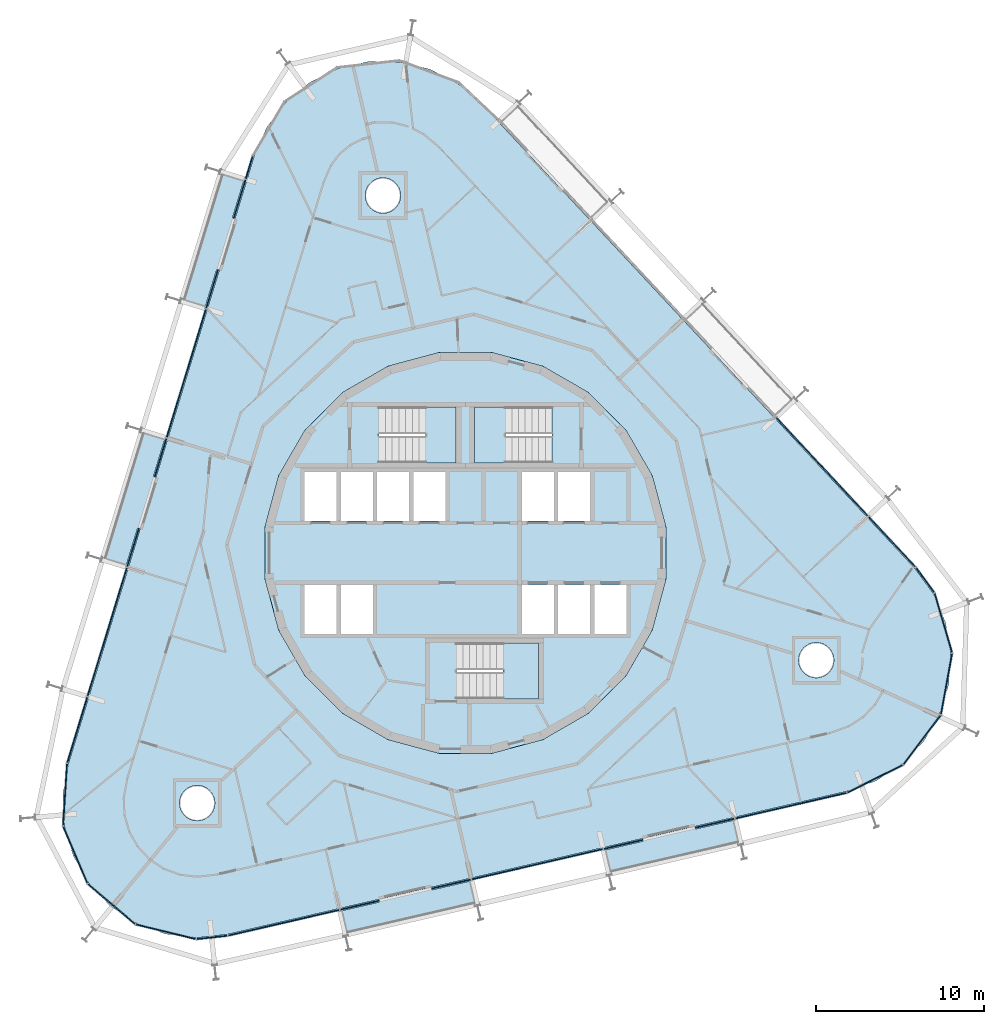
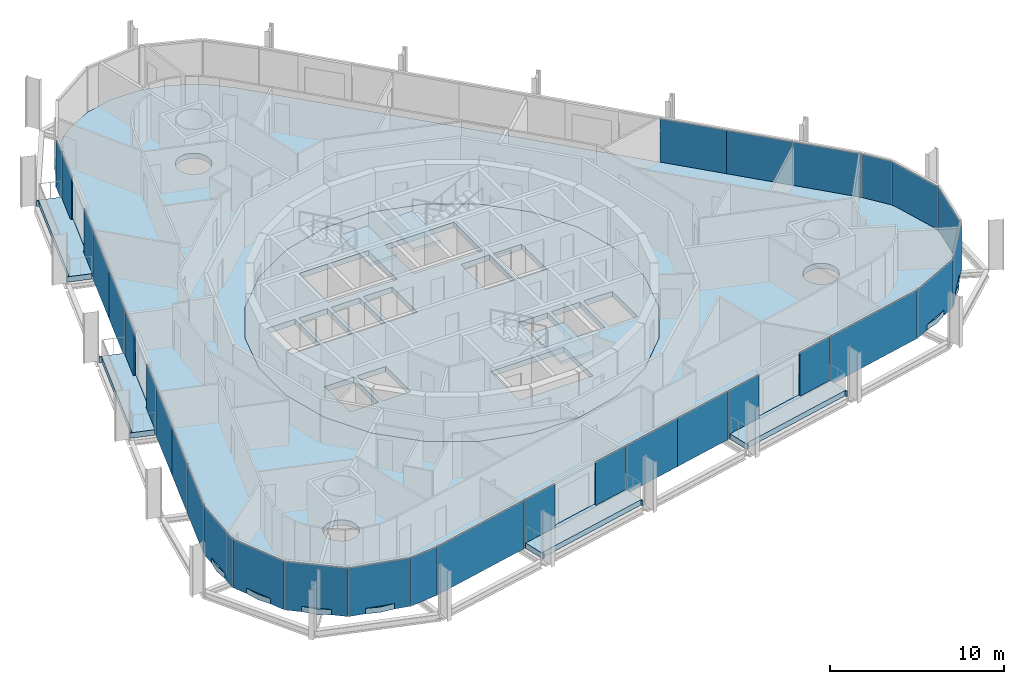
# One storey, part 10 of 18: 31 plates, 9 slabs, 9 elements without a shape of their own.
"""IFC4 building model written with IfcOpenShell, lengths in metres."""

from ifc_helpers import new_model, si_unit, direction, frame, origin, origin_2d, place, context, subcontext, project, spatial, polyline, rectangle, outline, extrude, material, layer, layer_set, type_object, element, aggregate, save


model = new_model("IFC4")

# Units and contexts
model_context = context("Model", 3, precision=1e-05, world=origin(), true_north=direction((0.0, 1.0)))
body_context = subcontext(model_context, "Body", "Model", "MODEL_VIEW")
ifc_project = project(units=[si_unit("LENGTHUNIT", "METRE"), si_unit("AREAUNIT", "SQUARE_METRE"), si_unit("VOLUMEUNIT", "CUBIC_METRE"), si_unit("PLANEANGLEUNIT", "RADIAN"), si_unit("MASSUNIT", "GRAM", prefix="KILO")], contexts=[model_context])

# Site, building, storey
site_placement = place(None, origin())
site = spatial("IfcSite", under=ifc_project, at=site_placement, CompositionType="ELEMENT")
building_placement = place(site_placement, origin())
building = spatial("IfcBuilding", under=site, at=building_placement, Name="Spindle Arch Residences", CompositionType="ELEMENT")
storey_placement = place(building_placement, frame((0.0, 0.0, 134.39990234375)))
storey = spatial("IfcBuildingStorey", under=building, at=storey_placement, Name="L33", CompositionType="ELEMENT", Elevation=134.39990234375)

# Slabs
ifc_material_1 = material(Name="Concrete C40/50", Category="concrete")
ifc_layer_1 = layer(ifc_material_1, 0.3798828125)
ifc_layer_set_1 = layer_set([ifc_layer_1], Name="Balcony slab 380")
slab_type_1 = type_object("IfcSlabType", Name="Balcony slab 380", PredefinedType="FLOOR", material=ifc_layer_set_1)
slab_1_placement = place(storey_placement, frame((0.0, 0.0, -0.3798828125)))
element("IfcSlab", 1, at=slab_1_placement, inside=storey, type_object=slab_type_1, Name="Balcony L33 bay 1", PredefinedType="FLOOR", context=body_context, shape_type="SweptSolid", body=[
    extrude(outline(polyline([(8.60546875, -19.094482421875), (8.678466796875, -19.07763671875), (8.644775390625, -18.931396484375), (16.17578125, -17.19287109375), (16.209716796875, -17.3388671875), (16.28271484375, -17.322021484375), (15.947509765625, -15.870361328125), (13.66796875, -16.396484375), (13.6318359375, -16.24072265625), (10.513916015625, -16.96044921875), (10.5498046875, -17.116455078125), (8.270263671875, -17.642578125), (8.60546875, -19.094482421875)])), origin(), (0.0, 0.0, 1.0), 0.3798828125),
])
slab_2_placement = place(storey_placement, frame((0.0, 0.0, -0.3798828125)))
element("IfcSlab", 2, at=slab_2_placement, inside=storey, type_object=slab_type_1, Name="Balcony L33 bay 13", PredefinedType="FLOOR", context=body_context, shape_type="SweptSolid", body=[
    extrude(outline(polyline([(-14.5791015625, 22.5703125), (-14.60107421875, 22.49853515625), (-14.45751953125, 22.45458984375), (-16.71728515625, 15.063232421875), (-16.86083984375, 15.107177734375), (-16.882568359375, 15.035400390625), (-15.457763671875, 14.599609375), (-14.773681640625, 16.837158203125), (-14.620849609375, 16.790283203125), (-13.68505859375, 19.8505859375), (-13.838134765625, 19.897216796875), (-13.154052734375, 22.134521484375), (-14.5791015625, 22.5703125)])), origin(), (0.0, 0.0, 1.0), 0.3798828125),
])
slab_3_placement = place(storey_placement, frame((0.0, 0.0, -0.3798828125)))
element("IfcSlab", 3, at=slab_3_placement, inside=storey, type_object=slab_type_1, Name="Balcony L33 bay 15", PredefinedType="FLOOR", context=body_context, shape_type="SweptSolid", body=[
    extrude(outline(polyline([(-19.27392578125, 7.213623046875), (-19.2958984375, 7.141845703125), (-19.152587890625, 7.097900390625), (-21.412353515625, -0.29345703125), (-21.5556640625, -0.24951171875), (-21.57763671875, -0.3212890625), (-20.15283203125, -0.7568359375), (-19.46875, 1.48046875), (-19.315673828125, 1.43359375), (-18.380126953125, 4.493896484375), (-18.533203125, 4.54052734375), (-17.84912109375, 6.77783203125), (-19.27392578125, 7.213623046875)])), origin(), (0.0, 0.0, 1.0), 0.3798828125),
])
slab_4_placement = place(storey_placement, frame((0.0, 0.0, -0.3798828125)))
element("IfcSlab", 4, at=slab_4_placement, inside=storey, type_object=slab_type_1, Name="Balcony L33 bay 21", PredefinedType="FLOOR", context=body_context, shape_type="SweptSolid", body=[
    extrude(outline(polyline([(-7.041259765625, -22.706787109375), (-6.96826171875, -22.68994140625), (-7.001953125, -22.543701171875), (0.529052734375, -20.80517578125), (0.562744140625, -20.951171875), (0.635986328125, -20.934326171875), (0.30078125, -19.482666015625), (-1.978759765625, -20.0087890625), (-2.014892578125, -19.85302734375), (-5.1328125, -20.57275390625), (-5.096923828125, -20.728759765625), (-7.37646484375, -21.255126953125), (-7.041259765625, -22.706787109375)])), origin(), (0.0, 0.0, 1.0), 0.3798828125),
])
ifc_material_2 = material(Name="Concrete C50/60", Category="concrete")
ifc_layer_2 = layer(ifc_material_2, 0.3798828125)
ifc_layer_set_2 = layer_set([ifc_layer_2], Name="Core floor slab 380")
slab_type_2 = type_object("IfcSlabType", Name="Core floor slab 380", PredefinedType="FLOOR", material=ifc_layer_set_2)
slab_5_placement = place(storey_placement, frame((0.0, 0.0, -0.3798828125)))
element("IfcSlab", 5, at=slab_5_placement, inside=storey, type_object=slab_type_2, Name="Core floor L33", PredefinedType="FLOOR", context=body_context, shape_type="SweptSolid", body=[
    extrude(outline(polyline([(1.56640625, -11.897216796875), (4.59228515625, -11.086669921875), (7.30517578125, -9.520263671875), (9.520263671875, -7.30517578125), (11.086669921875, -4.59228515625), (11.897216796875, -1.56640625), (11.897216796875, 1.56640625), (11.086669921875, 4.59228515625), (9.520263671875, 7.30517578125), (7.30517578125, 9.520263671875), (4.59228515625, 11.086669921875), (1.56640625, 11.897216796875), (-1.56640625, 11.897216796875), (-4.59228515625, 11.086669921875), (-7.30517578125, 9.520263671875), (-9.520263671875, 7.30517578125), (-11.086669921875, 4.59228515625), (-11.897216796875, 1.56640625), (-11.897216796875, -1.56640625), (-11.086669921875, -4.59228515625), (-9.520263671875, -7.30517578125), (-7.30517578125, -9.520263671875), (-4.59228515625, -11.086669921875), (-1.56640625, -11.897216796875), (1.56640625, -11.897216796875)]), holes=[polyline([(-9.550048828125, 1.89990234375), (-7.64990234375, 1.89990234375), (-7.64990234375, 4.800048828125), (-9.550048828125, 4.800048828125), (-9.550048828125, 1.89990234375)]), polyline([(-7.39990234375, 1.89990234375), (-5.5, 1.89990234375), (-5.5, 4.800048828125), (-7.39990234375, 4.800048828125), (-7.39990234375, 1.89990234375)]), polyline([(-5.25, 1.89990234375), (-3.35009765625, 1.89990234375), (-3.35009765625, 4.800048828125), (-5.25, 4.800048828125), (-5.25, 1.89990234375)]), polyline([(-3.10009765625, 1.89990234375), (-1.199951171875, 1.89990234375), (-1.199951171875, 4.800048828125), (-3.10009765625, 4.800048828125), (-3.10009765625, 1.89990234375)]), polyline([(3.35009765625, 1.89990234375), (5.25, 1.89990234375), (5.25, 4.800048828125), (3.35009765625, 4.800048828125), (3.35009765625, 1.89990234375)]), polyline([(5.5, 1.89990234375), (7.39990234375, 1.89990234375), (7.39990234375, 4.800048828125), (5.5, 4.800048828125), (5.5, 1.89990234375)]), polyline([(-9.550048828125, -4.800048828125), (-7.64990234375, -4.800048828125), (-7.64990234375, -1.89990234375), (-9.550048828125, -1.89990234375), (-9.550048828125, -4.800048828125)]), polyline([(-7.39990234375, -4.800048828125), (-5.5, -4.800048828125), (-5.5, -1.89990234375), (-7.39990234375, -1.89990234375), (-7.39990234375, -4.800048828125)]), polyline([(3.35009765625, -4.800048828125), (5.25, -4.800048828125), (5.25, -1.89990234375), (3.35009765625, -1.89990234375), (3.35009765625, -4.800048828125)]), polyline([(5.5, -4.800048828125), (7.39990234375, -4.800048828125), (7.39990234375, -1.89990234375), (5.5, -1.89990234375), (5.5, -4.800048828125)]), polyline([(7.64990234375, -4.800048828125), (9.550048828125, -4.800048828125), (9.550048828125, -1.89990234375), (7.64990234375, -1.89990234375), (7.64990234375, -4.800048828125)]), polyline([(5.1298828125, 8.669921875), (0.550048828125, 8.669921875), (0.550048828125, 5.35009765625), (5.1298828125, 5.35009765625), (5.1298828125, 8.669921875)]), polyline([(-5.1298828125, 5.35009765625), (-0.550048828125, 5.35009765625), (-0.550048828125, 8.669921875), (-5.1298828125, 8.669921875), (-5.1298828125, 5.35009765625)]), polyline([(-0.530029296875, -8.669921875), (4.35009765625, -8.669921875), (4.35009765625, -5.35009765625), (-0.530029296875, -5.35009765625), (-0.530029296875, -8.669921875)])]), origin(), (0.0, 0.0, 1.0), 0.3798828125),
])

# Stair, slab
ifc_material_3 = material(Name="Concrete C50/60", Category="concrete")
stair_type = type_object("IfcStairType", Name="Exit stair 16 risers", PredefinedType="HALF_TURN_STAIR", material=ifc_material_3)
stair_1_placement = place(storey_placement, origin())
stair_1 = element("IfcStair", 6, at=stair_1_placement, inside=storey, type_object=stair_type, Name="L33 Exit stair ST1", PredefinedType="HALF_TURN_STAIR")
ifc_material_4 = material(Name="Concrete C50/60", Category="concrete")
ifc_layer_3 = layer(ifc_material_4, 0.219970703125)
ifc_layer_set_3 = layer_set([ifc_layer_3], Name="Exit stair landing 220")
slab_type_3 = type_object("IfcSlabType", Name="Exit stair landing 220", PredefinedType="LANDING", material=ifc_layer_set_3)
slab_6_placement = place(storey_placement, frame((0.0, 0.0, 1.530029296875)))
slab_6 = element("IfcSlab", 7, at=slab_6_placement, type_object=slab_type_3, Name="ST1 landing 1", PredefinedType="LANDING", context=body_context, shape_type="SweptSolid", body=[
    extrude(outline(polyline([(2.3701171875, 8.669921875), (0.550048828125, 8.669921875), (0.550048828125, 5.35009765625), (2.3701171875, 5.35009765625), (2.3701171875, 8.669921875)])), origin(), (0.0, 0.0, 1.0), 0.219970703125),
])
aggregate(stair_1, [slab_6])

stair_2_placement = place(storey_placement, origin())
stair_2 = element("IfcStair", 8, at=stair_2_placement, inside=storey, type_object=stair_type, Name="L33 Exit stair ST2", PredefinedType="HALF_TURN_STAIR")
slab_7_placement = place(storey_placement, frame((0.0, 0.0, 1.530029296875)))
slab_7 = element("IfcSlab", 9, at=slab_7_placement, type_object=slab_type_3, Name="ST2 landing 1", PredefinedType="LANDING", context=body_context, shape_type="SweptSolid", body=[
    extrude(outline(polyline([(-2.3701171875, 5.35009765625), (-0.550048828125, 5.35009765625), (-0.550048828125, 8.669921875), (-2.3701171875, 8.669921875), (-2.3701171875, 5.35009765625)])), origin(), (0.0, 0.0, 1.0), 0.219970703125),
])
aggregate(stair_2, [slab_7])

stair_3_placement = place(storey_placement, origin())
stair_3 = element("IfcStair", 10, at=stair_3_placement, inside=storey, type_object=stair_type, Name="L33 Exit stair ST3", PredefinedType="HALF_TURN_STAIR")
slab_8_placement = place(storey_placement, frame((0.0, 0.0, 1.530029296875)))
slab_8 = element("IfcSlab", 11, at=slab_8_placement, type_object=slab_type_3, Name="ST3 landing 1", PredefinedType="LANDING", context=body_context, shape_type="SweptSolid", body=[
    extrude(outline(polyline([(2.22998046875, -8.669921875), (4.35009765625, -8.669921875), (4.35009765625, -5.35009765625), (2.22998046875, -5.35009765625), (2.22998046875, -8.669921875)])), origin(), (0.0, 0.0, 1.0), 0.219970703125),
])
aggregate(stair_3, [slab_8])

# Slab
ifc_material_5 = material(Name="Concrete C40/50", Category="concrete")
ifc_layer_4 = layer(ifc_material_5, 0.3798828125)
ifc_layer_set_4 = layer_set([ifc_layer_4], Name="Floor slab 380")
slab_type_4 = type_object("IfcSlabType", Name="Floor slab 380", PredefinedType="FLOOR", material=ifc_layer_set_4)
slab_9_placement = place(storey_placement, frame((0.0, 0.0, -0.3798828125)))
element("IfcSlab", 12, at=slab_9_placement, inside=storey, type_object=slab_type_4, Name="Floor slab L33", PredefinedType="FLOOR", context=body_context, shape_type="SweptSolid", body=[
    extrude(outline(polyline([(-15.976806640625, -22.85498046875), (-17.8203125, -22.628662109375), (-19.56201171875, -21.983154296875), (-21.108154296875, -20.95361328125), (-22.375, -19.594970703125), (-23.294189453125, -17.98095703125), (-23.816650390625, -16.198486328125), (-23.913818359375, -14.343505859375), (-23.58056640625, -12.51611328125), (-12.55029296875, 23.5625), (-11.8046875, 25.263916015625), (-10.686767578125, 26.747314453125), (-9.257080078125, 27.932861328125), (-7.59228515625, 28.7568359375), (-5.7822265625, 29.1748046875), (-3.9248046875, 29.163818359375), (-2.1201171875, 28.72509765625), (-0.465087890625, 27.881591796875), (0.950927734375, 26.679443359375), (26.680908203125, -0.912353515625), (27.781494140625, -2.40869140625), (28.507080078125, -4.11865234375), (28.819091796875, -5.94970703125), (28.7001953125, -7.803466796875), (28.1572265625, -9.57958984375), (27.218994140625, -11.182861328125), (25.9365234375, -12.526611328125), (24.37890625, -13.5380859375), (22.629638671875, -14.163330078125), (4.24951171875, -18.40673828125), (-14.130615234375, -22.650146484375), (-15.976806640625, -22.85498046875)]), holes=[polyline([(7.30517578125, -9.520263671875), (9.520263671875, -7.30517578125), (11.086669921875, -4.59228515625), (11.897216796875, -1.56640625), (11.897216796875, 1.56640625), (11.086669921875, 4.59228515625), (9.520263671875, 7.30517578125), (7.30517578125, 9.520263671875), (4.59228515625, 11.086669921875), (1.56640625, 11.897216796875), (-1.56640625, 11.897216796875), (-4.59228515625, 11.086669921875), (-7.30517578125, 9.520263671875), (-9.520263671875, 7.30517578125), (-11.086669921875, 4.59228515625), (-11.897216796875, 1.56640625), (-11.897216796875, -1.56640625), (-11.086669921875, -4.59228515625), (-9.520263671875, -7.30517578125), (-7.30517578125, -9.520263671875), (-4.59228515625, -11.086669921875), (-1.56640625, -11.897216796875), (1.56640625, -11.897216796875), (4.59228515625, -11.086669921875), (7.30517578125, -9.520263671875)]), polyline([(-15.187744140625, -15.59765625), (-15.05712890625, -15.4384765625), (-14.960205078125, -15.257080078125), (-14.900390625, -15.06005859375), (-14.880126953125, -14.855224609375), (-14.900390625, -14.650390625), (-14.960205078125, -14.453369140625), (-15.05712890625, -14.27197265625), (-15.187744140625, -14.11279296875), (-15.346923828125, -13.982177734375), (-15.5283203125, -13.885009765625), (-15.725341796875, -13.825439453125), (-15.93017578125, -13.80517578125), (-16.135009765625, -13.825439453125), (-16.33203125, -13.885009765625), (-16.513427734375, -13.982177734375), (-16.672607421875, -14.11279296875), (-16.80322265625, -14.27197265625), (-16.900390625, -14.453369140625), (-16.9599609375, -14.650390625), (-16.980224609375, -14.855224609375), (-16.9599609375, -15.06005859375), (-16.900390625, -15.257080078125), (-16.80322265625, -15.4384765625), (-16.672607421875, -15.59765625), (-16.513427734375, -15.728271484375), (-16.33203125, -15.8251953125), (-16.135009765625, -15.885009765625), (-15.93017578125, -15.9052734375), (-15.725341796875, -15.885009765625), (-15.5283203125, -15.8251953125), (-15.346923828125, -15.728271484375), (-15.187744140625, -15.59765625)]), polyline([(-4.02685546875, 20.64013671875), (-3.9296875, 20.82177734375), (-3.8701171875, 21.018798828125), (-3.849853515625, 21.223388671875), (-3.8701171875, 21.42822265625), (-3.9296875, 21.625244140625), (-4.02685546875, 21.806884765625), (-4.1572265625, 21.966064453125), (-4.31640625, 22.096435546875), (-4.498046875, 22.193603515625), (-4.695068359375, 22.25341796875), (-4.89990234375, 22.2734375), (-5.1044921875, 22.25341796875), (-5.301513671875, 22.193603515625), (-5.483154296875, 22.096435546875), (-5.642333984375, 21.966064453125), (-5.772705078125, 21.806884765625), (-5.869873046875, 21.625244140625), (-5.9296875, 21.42822265625), (-5.94970703125, 21.223388671875), (-5.9296875, 21.018798828125), (-5.869873046875, 20.82177734375), (-5.772705078125, 20.64013671875), (-5.642333984375, 20.48095703125), (-5.483154296875, 20.3505859375), (-5.301513671875, 20.25341796875), (-5.1044921875, 20.193603515625), (-4.89990234375, 20.173583984375), (-4.695068359375, 20.193603515625), (-4.498046875, 20.25341796875), (-4.31640625, 20.3505859375), (-4.1572265625, 20.48095703125), (-4.02685546875, 20.64013671875)]), polyline([(21.702880859375, -6.95166015625), (21.800048828125, -6.770263671875), (21.85986328125, -6.5732421875), (21.8798828125, -6.368408203125), (21.85986328125, -6.16357421875), (21.800048828125, -5.966552734375), (21.702880859375, -5.78515625), (21.572509765625, -5.6259765625), (21.413330078125, -5.495361328125), (21.231689453125, -5.398193359375), (21.034912109375, -5.338623046875), (20.830078125, -5.318359375), (20.625244140625, -5.338623046875), (20.42822265625, -5.398193359375), (20.24658203125, -5.495361328125), (20.08740234375, -5.6259765625), (19.95703125, -5.78515625), (19.85986328125, -5.966552734375), (19.80029296875, -6.16357421875), (19.780029296875, -6.368408203125), (19.80029296875, -6.5732421875), (19.85986328125, -6.770263671875), (19.95703125, -6.95166015625), (20.08740234375, -7.11083984375), (20.24658203125, -7.241455078125), (20.42822265625, -7.33837890625), (20.625244140625, -7.398193359375), (20.830078125, -7.41845703125), (21.034912109375, -7.398193359375), (21.231689453125, -7.33837890625), (21.413330078125, -7.241455078125), (21.572509765625, -7.11083984375), (21.702880859375, -6.95166015625)])]), origin(), (0.0, 0.0, 1.0), 0.3798828125),
])

# Curtain wall, plates
ifc_material_6 = material(Name="Aluminium bronze unitised frame with tinted glass", Category="aluminium")
ifc_layer_5 = layer(ifc_material_6, 0.159912109375)
ifc_layer_set_5 = layer_set([ifc_layer_5], Name="CW-D corner wall on the fillet arcs")
curtain_wall_type_1 = type_object("IfcCurtainWallType", Name="CW-D corner wall on the fillet arcs", PredefinedType="NOTDEFINED", material=ifc_layer_set_5)
curtain_wall_1_placement = place(storey_placement, origin())
curtain_wall_1 = element("IfcCurtainWall", 13, at=curtain_wall_1_placement, inside=storey, type_object=curtain_wall_type_1, Name="CW-D L33 run 1", PredefinedType="NOTDEFINED")
ifc_material_7 = material(Name="Tinted double glazing over non-combustible spandrel zone with 0.55 mm stainless steel cavity fire stop (K0)", Category="steel")
ifc_layer_6 = layer(ifc_material_7, 0.070068359375)
ifc_layer_set_6 = layer_set([ifc_layer_6], Name="Unitised glass panel with spandrel zone and stainless cavity fire stop")
plate_type = type_object("IfcPlateType", Name="Unitised glass panel with spandrel zone and stainless cavity fire stop", PredefinedType="CURTAIN_PANEL", material=ifc_layer_set_6)
plate_1_placement = place(storey_placement, frame((19.3251953125, -15.00830078125, -0.3798828125), z_axis=(0.0, 0.0, 1.0), x_axis=(0.974370064785, 0.224951054344, 0.0)))
plate_1 = element("IfcPlate", 14, at=plate_1_placement, type_object=plate_type, Name="CW-D unit 00", PredefinedType="CURTAIN_PANEL", context=body_context, shape_type="SweptSolid", body=[
    extrude(rectangle(XDim=6.759765625, YDim=0.070068359375, at=origin_2d()), origin(), (0.0, 0.0, 1.0), 3.3798828125),
])
plate_2_placement = place(storey_placement, frame((24.317626953125, -13.414794921875, -0.3798828125), z_axis=(0.0, 0.0, 1.0), x_axis=(0.896228507614, 0.443592675931, 0.0)))
plate_2 = element("IfcPlate", 15, at=plate_2_placement, type_object=plate_type, Name="CW-D unit 01", PredefinedType="CURTAIN_PANEL", context=body_context, shape_type="SweptSolid", body=[
    extrude(rectangle(XDim=3.666748046875, YDim=0.070068359375, at=origin_2d()), origin(), (0.0, 0.0, 1.0), 3.3798828125),
])
plate_3_placement = place(storey_placement, frame((27.109130859375, -11.099853515625, -0.3798828125), z_axis=(0.0, 0.0, 1.0), x_axis=(0.601815021814, 0.798635511056, 0.0)))
plate_3 = element("IfcPlate", 16, at=plate_3_placement, type_object=plate_type, Name="CW-D unit 02", PredefinedType="CURTAIN_PANEL", context=body_context, shape_type="SweptSolid", body=[
    extrude(rectangle(XDim=3.666748046875, YDim=0.070068359375, at=origin_2d()), origin(), (0.0, 0.0, 1.0), 3.3798828125),
])
plate_4_placement = place(storey_placement, frame((28.564697265625, -7.778564453125, -0.3798828125), z_axis=(0.0, 0.0, 1.0), x_axis=(0.17937458782, 0.983780848179, 0.0)))
plate_4 = element("IfcPlate", 17, at=plate_4_placement, type_object=plate_type, Name="CW-D unit 03", PredefinedType="CURTAIN_PANEL", context=body_context, shape_type="SweptSolid", body=[
    extrude(rectangle(XDim=3.666748046875, YDim=0.070068359375, at=origin_2d()), origin(), (0.0, 0.0, 1.0), 3.3798828125),
])
plate_5_placement = place(storey_placement, frame((28.375, -4.1572265625, -0.3798828125), z_axis=(0.0, 0.0, 1.0), x_axis=(-0.281225052549, 0.959641844554, 0.0)))
plate_5 = element("IfcPlate", 18, at=plate_5_placement, type_object=plate_type, Name="CW-D unit 04", PredefinedType="CURTAIN_PANEL", context=body_context, shape_type="SweptSolid", body=[
    extrude(rectangle(XDim=3.666748046875, YDim=0.070068359375, at=origin_2d()), origin(), (0.0, 0.0, 1.0), 3.3798828125),
])
plate_6_placement = place(storey_placement, frame((27.295166015625, -1.613525390625, -0.3798828125), z_axis=(0.0, 0.0, 1.0), x_axis=(-0.592481951039, 0.805583724819, 0.0)))
plate_6 = element("IfcPlate", 19, at=plate_6_placement, type_object=plate_type, Name="CW-D unit 05", PredefinedType="CURTAIN_PANEL", context=body_context, shape_type="SweptSolid", body=[
    extrude(rectangle(XDim=1.816162109375, YDim=0.070068359375, at=origin_2d()), origin(), (0.0, 0.0, 1.0), 3.3798828125),
])
plate_7_placement = place(storey_placement, frame((25.326416015625, 0.6572265625, -0.3798828125), z_axis=(0.0, 0.0, 1.0), x_axis=(-0.681998360062, 0.731353701619, 0.0)))
plate_7 = element("IfcPlate", 20, at=plate_7_placement, type_object=plate_type, Name="CW-D unit 06", PredefinedType="CURTAIN_PANEL", context=body_context, shape_type="SweptSolid", body=[
    extrude(rectangle(XDim=4.08349609375, YDim=0.070068359375, at=origin_2d()), origin(), (0.0, 0.0, 1.0), 3.3798828125),
])
aggregate(curtain_wall_1, [plate_1, plate_2, plate_3, plate_4, plate_5, plate_6, plate_7])

ifc_material_8 = material(Name="Aluminium bronze unitised frame with tinted glass", Category="aluminium")
ifc_layer_7 = layer(ifc_material_8, 0.159912109375)
ifc_layer_set_7 = layer_set([ifc_layer_7], Name="CW-C typical residential unitised wall")
curtain_wall_type_2 = type_object("IfcCurtainWallType", Name="CW-C typical residential unitised wall", PredefinedType="NOTDEFINED", material=ifc_layer_set_7)
curtain_wall_2_placement = place(storey_placement, origin())
curtain_wall_2 = element("IfcCurtainWall", 21, at=curtain_wall_2_placement, inside=storey, type_object=curtain_wall_type_2, Name="CW-C L33 run 2", PredefinedType="NOTDEFINED")
plate_8_placement = place(storey_placement, frame((22.534423828125, 3.651611328125, -0.3798828125), z_axis=(0.0, 0.0, 1.0), x_axis=(-0.681998360062, 0.731353701619, 0.0)))
plate_8 = element("IfcPlate", 22, at=plate_8_placement, type_object=plate_type, Name="CW-C unit 05A", PredefinedType="CURTAIN_PANEL", context=body_context, shape_type="SweptSolid", body=[
    extrude(rectangle(XDim=3.984619140625, YDim=0.070068359375, at=origin_2d()), origin(), (0.0, 0.0, 1.0), 3.3798828125),
])
plate_9_placement = place(storey_placement, frame((19.81689453125, 6.565673828125, -0.3798828125), z_axis=(0.0, 0.0, 1.0), x_axis=(-0.681998360062, 0.731353701619, 0.0)))
plate_9 = element("IfcPlate", 23, at=plate_9_placement, type_object=plate_type, Name="CW-C unit 05B", PredefinedType="CURTAIN_PANEL", context=body_context, shape_type="SweptSolid", body=[
    extrude(rectangle(XDim=3.984619140625, YDim=0.070068359375, at=origin_2d()), origin(), (0.0, 0.0, 1.0), 3.3798828125),
])
aggregate(curtain_wall_2, [plate_8, plate_9])

# Curtain wall, plate
curtain_wall_3_placement = place(storey_placement, origin())
curtain_wall_3 = element("IfcCurtainWall", 24, at=curtain_wall_3_placement, inside=storey, type_object=curtain_wall_type_1, Name="CW-D L33 run 3", PredefinedType="NOTDEFINED")
plate_10_placement = place(storey_placement, frame((-12.84130859375, 22.884521484375, -0.3798828125), z_axis=(0.0, 0.0, 1.0), x_axis=(-0.292371704723, -0.956304755963, 0.0)))
plate_10 = element("IfcPlate", 25, at=plate_10_placement, type_object=plate_type, Name="CW-D unit 05", PredefinedType="CURTAIN_PANEL", context=body_context, shape_type="SweptSolid", body=[
    extrude(rectangle(XDim=1.406982421875, YDim=0.070068359375, at=origin_2d()), origin(), (0.0, 0.0, 1.0), 3.3798828125),
])
aggregate(curtain_wall_3, [plate_10])

# Curtain wall, plates
curtain_wall_4_placement = place(storey_placement, origin())
curtain_wall_4 = element("IfcCurtainWall", 26, at=curtain_wall_4_placement, inside=storey, type_object=curtain_wall_type_2, Name="CW-C L33 run 4", PredefinedType="NOTDEFINED")
plate_11_placement = place(storey_placement, frame((-13.4130859375, 21.01416015625, -0.3798828125), z_axis=(0.0, 0.0, 1.0), x_axis=(-0.292371704723, -0.956304755963, 0.0)))
plate_11 = element("IfcPlate", 27, at=plate_11_placement, type_object=plate_type, Name="CW-C unit 12L", PredefinedType="CURTAIN_PANEL", context=body_context, shape_type="SweptSolid", body=[
    extrude(rectangle(XDim=2.384521484375, YDim=0.070068359375, at=origin_2d()), origin(), (0.0, 0.0, 1.0), 3.3798828125),
])
plate_12_placement = place(storey_placement, frame((-15.0458984375, 15.673583984375, -0.3798828125), z_axis=(0.0, 0.0, 1.0), x_axis=(-0.292371704723, -0.956304755963, 0.0)))
plate_12 = element("IfcPlate", 28, at=plate_12_placement, type_object=plate_type, Name="CW-C unit 12R", PredefinedType="CURTAIN_PANEL", context=body_context, shape_type="SweptSolid", body=[
    extrude(rectangle(XDim=2.384521484375, YDim=0.070068359375, at=origin_2d()), origin(), (0.0, 0.0, 1.0), 3.3798828125),
])
plate_13_placement = place(storey_placement, frame((-15.994384765625, 12.57080078125, -0.3798828125), z_axis=(0.0, 0.0, 1.0), x_axis=(-0.292371704723, -0.956304755963, 0.0)))
plate_13 = element("IfcPlate", 29, at=plate_13_placement, type_object=plate_type, Name="CW-C unit 13A", PredefinedType="CURTAIN_PANEL", context=body_context, shape_type="SweptSolid", body=[
    extrude(rectangle(XDim=3.984619140625, YDim=0.070068359375, at=origin_2d()), origin(), (0.0, 0.0, 1.0), 3.3798828125),
])
plate_14_placement = place(storey_placement, frame((-17.159423828125, 8.76025390625, -0.3798828125), z_axis=(0.0, 0.0, 1.0), x_axis=(-0.292371704723, -0.956304755963, 0.0)))
plate_14 = element("IfcPlate", 30, at=plate_14_placement, type_object=plate_type, Name="CW-C unit 13B", PredefinedType="CURTAIN_PANEL", context=body_context, shape_type="SweptSolid", body=[
    extrude(rectangle(XDim=3.984619140625, YDim=0.070068359375, at=origin_2d()), origin(), (0.0, 0.0, 1.0), 3.3798828125),
])
plate_15_placement = place(storey_placement, frame((-18.108154296875, 5.657470703125, -0.3798828125), z_axis=(0.0, 0.0, 1.0), x_axis=(-0.292371704723, -0.956304755963, 0.0)))
plate_15 = element("IfcPlate", 31, at=plate_15_placement, type_object=plate_type, Name="CW-C unit 14L", PredefinedType="CURTAIN_PANEL", context=body_context, shape_type="SweptSolid", body=[
    extrude(rectangle(XDim=2.384521484375, YDim=0.070068359375, at=origin_2d()), origin(), (0.0, 0.0, 1.0), 3.3798828125),
])
plate_16_placement = place(storey_placement, frame((-19.740966796875, 0.31689453125, -0.3798828125), z_axis=(0.0, 0.0, 1.0), x_axis=(-0.292371704723, -0.956304755963, 0.0)))
plate_16 = element("IfcPlate", 32, at=plate_16_placement, type_object=plate_type, Name="CW-C unit 14R", PredefinedType="CURTAIN_PANEL", context=body_context, shape_type="SweptSolid", body=[
    extrude(rectangle(XDim=2.384521484375, YDim=0.070068359375, at=origin_2d()), origin(), (0.0, 0.0, 1.0), 3.3798828125),
])
plate_17_placement = place(storey_placement, frame((-20.689453125, -2.785888671875, -0.3798828125), z_axis=(0.0, 0.0, 1.0), x_axis=(-0.292371704723, -0.956304755963, 0.0)))
plate_17 = element("IfcPlate", 33, at=plate_17_placement, type_object=plate_type, Name="CW-C unit 15A", PredefinedType="CURTAIN_PANEL", context=body_context, shape_type="SweptSolid", body=[
    extrude(rectangle(XDim=3.984619140625, YDim=0.070068359375, at=origin_2d()), origin(), (0.0, 0.0, 1.0), 3.3798828125),
])
plate_18_placement = place(storey_placement, frame((-21.8544921875, -6.596435546875, -0.3798828125), z_axis=(0.0, 0.0, 1.0), x_axis=(-0.292371704723, -0.956304755963, 0.0)))
plate_18 = element("IfcPlate", 34, at=plate_18_placement, type_object=plate_type, Name="CW-C unit 15B", PredefinedType="CURTAIN_PANEL", context=body_context, shape_type="SweptSolid", body=[
    extrude(rectangle(XDim=3.984619140625, YDim=0.070068359375, at=origin_2d()), origin(), (0.0, 0.0, 1.0), 3.3798828125),
])
aggregate(curtain_wall_4, [plate_11, plate_12, plate_13, plate_14, plate_15, plate_16, plate_17, plate_18])

curtain_wall_5_placement = place(storey_placement, origin())
curtain_wall_5 = element("IfcCurtainWall", 35, at=curtain_wall_5_placement, inside=storey, type_object=curtain_wall_type_1, Name="CW-D L33 run 5", PredefinedType="NOTDEFINED")
plate_19_placement = place(storey_placement, frame((-23.051513671875, -10.511474609375, -0.3798828125), z_axis=(0.0, 0.0, 1.0), x_axis=(-0.292371704723, -0.956304755963, 0.0)))
plate_19 = element("IfcPlate", 36, at=plate_19_placement, type_object=plate_type, Name="CW-D unit 00", PredefinedType="CURTAIN_PANEL", context=body_context, shape_type="SweptSolid", body=[
    extrude(rectangle(XDim=4.08349609375, YDim=0.070068359375, at=origin_2d()), origin(), (0.0, 0.0, 1.0), 3.3798828125),
])
plate_20_placement = place(storey_placement, frame((-23.7763671875, -14.352294921875, -0.3798828125), z_axis=(0.0, 0.0, 1.0), x_axis=(-0.063951729226, -0.997952993046, 0.0)))
plate_20 = element("IfcPlate", 37, at=plate_20_placement, type_object=plate_type, Name="CW-D unit 01", PredefinedType="CURTAIN_PANEL", context=body_context, shape_type="SweptSolid", body=[
    extrude(rectangle(XDim=3.666748046875, YDim=0.070068359375, at=origin_2d()), origin(), (0.0, 0.0, 1.0), 3.3798828125),
])
plate_21_placement = place(storey_placement, frame((-23.16748046875, -17.92724609375, -0.3798828125), z_axis=(0.0, 0.0, 1.0), x_axis=(0.390731127124, -0.920504854032, 0.0)))
plate_21 = element("IfcPlate", 38, at=plate_21_placement, type_object=plate_type, Name="CW-D unit 02", PredefinedType="CURTAIN_PANEL", context=body_context, shape_type="SweptSolid", body=[
    extrude(rectangle(XDim=3.666748046875, YDim=0.070068359375, at=origin_2d()), origin(), (0.0, 0.0, 1.0), 3.3798828125),
])
plate_22_placement = place(storey_placement, frame((-21.018798828125, -20.848388671875, -0.3798828125), z_axis=(0.0, 0.0, 1.0), x_axis=(0.762291912042, -0.647233374321, 0.0)))
plate_22 = element("IfcPlate", 39, at=plate_22_placement, type_object=plate_type, Name="CW-D unit 03", PredefinedType="CURTAIN_PANEL", context=body_context, shape_type="SweptSolid", body=[
    extrude(rectangle(XDim=3.666748046875, YDim=0.070068359375, at=origin_2d()), origin(), (0.0, 0.0, 1.0), 3.3798828125),
])
plate_23_placement = place(storey_placement, frame((-17.787841796875, -22.49462890625, -0.3798828125), z_axis=(0.0, 0.0, 1.0), x_axis=(0.971686742139, -0.23627288281, 0.0)))
plate_23 = element("IfcPlate", 40, at=plate_23_placement, type_object=plate_type, Name="CW-D unit 04", PredefinedType="CURTAIN_PANEL", context=body_context, shape_type="SweptSolid", body=[
    extrude(rectangle(XDim=3.666748046875, YDim=0.070068359375, at=origin_2d()), origin(), (0.0, 0.0, 1.0), 3.3798828125),
])
plate_24_placement = place(storey_placement, frame((-15.044921875, -22.83154296875, -0.3798828125), z_axis=(0.0, 0.0, 1.0), x_axis=(0.993896946542, 0.110312554381, 0.0)))
plate_24 = element("IfcPlate", 41, at=plate_24_placement, type_object=plate_type, Name="CW-D unit 05", PredefinedType="CURTAIN_PANEL", context=body_context, shape_type="SweptSolid", body=[
    extrude(rectangle(XDim=1.816162109375, YDim=0.070068359375, at=origin_2d()), origin(), (0.0, 0.0, 1.0), 3.3798828125),
])
plate_25_placement = place(storey_placement, frame((-10.7900390625, -21.9609375, -0.3798828125), z_axis=(0.0, 0.0, 1.0), x_axis=(0.974370064785, 0.224951054344, 0.0)))
plate_25 = element("IfcPlate", 42, at=plate_25_placement, type_object=plate_type, Name="CW-D unit 06", PredefinedType="CURTAIN_PANEL", context=body_context, shape_type="SweptSolid", body=[
    extrude(rectangle(XDim=6.759765625, YDim=0.070068359375, at=origin_2d()), origin(), (0.0, 0.0, 1.0), 3.3798828125),
])
aggregate(curtain_wall_5, [plate_19, plate_20, plate_21, plate_22, plate_23, plate_24, plate_25])

curtain_wall_6_placement = place(storey_placement, origin())
curtain_wall_6 = element("IfcCurtainWall", 43, at=curtain_wall_6_placement, inside=storey, type_object=curtain_wall_type_2, Name="CW-C L33 run 6", PredefinedType="NOTDEFINED")
plate_26_placement = place(storey_placement, frame((-6.276611328125, -20.9189453125, -0.3798828125), z_axis=(0.0, 0.0, 1.0), x_axis=(0.974370064785, 0.224951054344, 0.0)))
plate_26 = element("IfcPlate", 44, at=plate_26_placement, type_object=plate_type, Name="CW-C unit 20L", PredefinedType="CURTAIN_PANEL", context=body_context, shape_type="SweptSolid", body=[
    extrude(rectangle(XDim=2.384521484375, YDim=0.070068359375, at=origin_2d()), origin(), (0.0, 0.0, 1.0), 3.3798828125),
])
plate_27_placement = place(storey_placement, frame((-0.835205078125, -19.66259765625, -0.3798828125), z_axis=(0.0, 0.0, 1.0), x_axis=(0.974370064785, 0.224951054344, 0.0)))
plate_27 = element("IfcPlate", 45, at=plate_27_placement, type_object=plate_type, Name="CW-C unit 20R", PredefinedType="CURTAIN_PANEL", context=body_context, shape_type="SweptSolid", body=[
    extrude(rectangle(XDim=2.384521484375, YDim=0.070068359375, at=origin_2d()), origin(), (0.0, 0.0, 1.0), 3.3798828125),
])
plate_28_placement = place(storey_placement, frame((2.326416015625, -18.932861328125, -0.3798828125), z_axis=(0.0, 0.0, 1.0), x_axis=(0.974370064785, 0.224951054344, 0.0)))
plate_28 = element("IfcPlate", 46, at=plate_28_placement, type_object=plate_type, Name="CW-C unit 21A", PredefinedType="CURTAIN_PANEL", context=body_context, shape_type="SweptSolid", body=[
    extrude(rectangle(XDim=3.984619140625, YDim=0.070068359375, at=origin_2d()), origin(), (0.0, 0.0, 1.0), 3.3798828125),
])
plate_29_placement = place(storey_placement, frame((6.208740234375, -18.03662109375, -0.3798828125), z_axis=(0.0, 0.0, 1.0), x_axis=(0.974370064785, 0.224951054344, 0.0)))
plate_29 = element("IfcPlate", 47, at=plate_29_placement, type_object=plate_type, Name="CW-C unit 21B", PredefinedType="CURTAIN_PANEL", context=body_context, shape_type="SweptSolid", body=[
    extrude(rectangle(XDim=3.984619140625, YDim=0.070068359375, at=origin_2d()), origin(), (0.0, 0.0, 1.0), 3.3798828125),
])
plate_30_placement = place(storey_placement, frame((9.3701171875, -17.306640625, -0.3798828125), z_axis=(0.0, 0.0, 1.0), x_axis=(0.974370064785, 0.224951054344, 0.0)))
plate_30 = element("IfcPlate", 48, at=plate_30_placement, type_object=plate_type, Name="CW-C unit 00L", PredefinedType="CURTAIN_PANEL", context=body_context, shape_type="SweptSolid", body=[
    extrude(rectangle(XDim=2.384521484375, YDim=0.070068359375, at=origin_2d()), origin(), (0.0, 0.0, 1.0), 3.3798828125),
])
plate_31_placement = place(storey_placement, frame((14.8115234375, -16.05029296875, -0.3798828125), z_axis=(0.0, 0.0, 1.0), x_axis=(0.974370064785, 0.224951054344, 0.0)))
plate_31 = element("IfcPlate", 49, at=plate_31_placement, type_object=plate_type, Name="CW-C unit 00R", PredefinedType="CURTAIN_PANEL", context=body_context, shape_type="SweptSolid", body=[
    extrude(rectangle(XDim=2.384521484375, YDim=0.070068359375, at=origin_2d()), origin(), (0.0, 0.0, 1.0), 3.3798828125),
])
aggregate(curtain_wall_6, [plate_26, plate_27, plate_28, plate_29, plate_30, plate_31])

save(model, "model.ifc")
